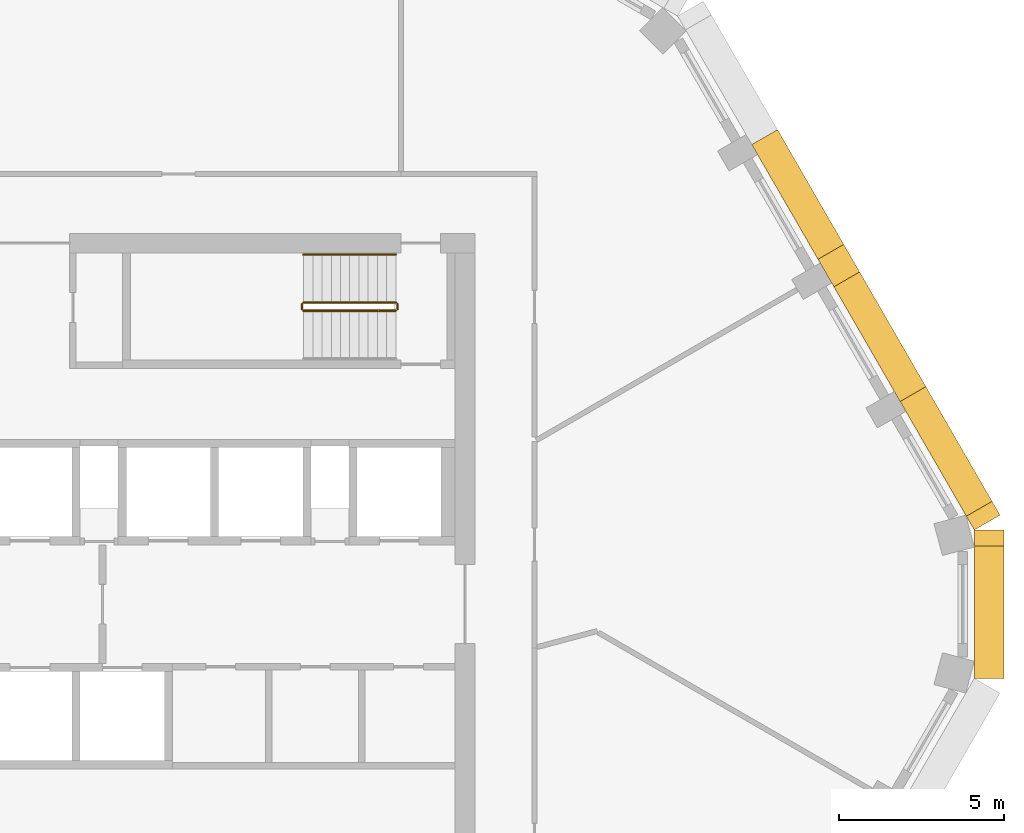
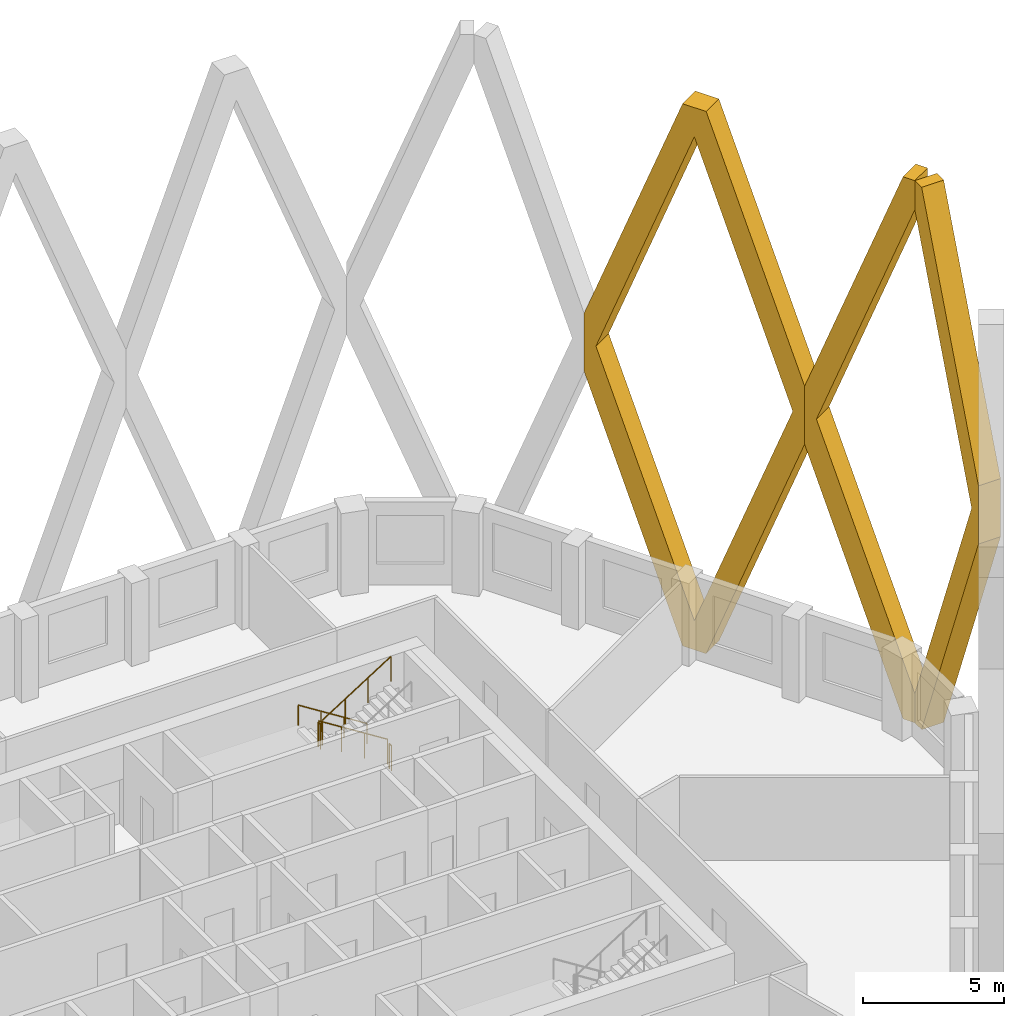
# One storey, part 12 of 13: 5 railings, 3 coverings.
"""IFC4 building model written with IfcOpenShell, lengths in metres."""

from ifc_helpers import new_model, si_unit, direction, frame, origin, origin_2d, place, context, subcontext, project, spatial, polyline, circle, outline, extrude, material, type_object, element, save


model = new_model("IFC4")

# Units and contexts
model_context = context("Model", 3, precision=1e-05, world=origin(), true_north=direction((0.0, 1.0)))
body_context = subcontext(model_context, "Body", "Model", "MODEL_VIEW")
ifc_project = project(units=[si_unit("LENGTHUNIT", "METRE"), si_unit("AREAUNIT", "SQUARE_METRE"), si_unit("VOLUMEUNIT", "CUBIC_METRE"), si_unit("PLANEANGLEUNIT", "RADIAN"), si_unit("MASSUNIT", "GRAM", prefix="KILO")], contexts=[model_context])

# Site, building, storey
site_placement = place(None, origin())
site = spatial("IfcSite", under=ifc_project, at=site_placement, CompositionType="ELEMENT")
building_placement = place(site_placement, origin())
building = spatial("IfcBuilding", under=site, at=building_placement, Name="Dhurran Vertical Campus", CompositionType="ELEMENT")
storey_placement = place(building_placement, frame((0.0, 0.0, 258.60009765625)))
storey = spatial("IfcBuildingStorey", under=building, at=storey_placement, Name="L64", CompositionType="ELEMENT", Elevation=258.60009765625)

# Coverings
ifc_material_1 = material(Name="Precast concrete C50/60", Category="concrete")
covering_type = type_object("IfcCoveringType", Name="Folded precast fin lattice diamond", PredefinedType="USERDEFINED", material=ifc_material_1)
covering_1_placement = place(storey_placement, frame((28.647216796875, -2.25, 0.0), z_axis=(1.0, 0.0, 0.0), x_axis=(0.0, 1.0, 0.0)))
element("IfcCovering", 1, at=covering_1_placement, inside=storey, type_object=covering_type, Name="FN1 L64.008", ObjectType="FIN", PredefinedType="USERDEFINED", context=body_context, shape_type="SweptSolid", body=[
    extrude(outline(polyline([(4.017822265625, 0.0), (0.0, 10.4462890625), (0.0, 12.95361328125), (4.017822265625, 23.39990234375), (4.5, 23.39990234375), (4.5, 22.146484375), (0.482177734375, 11.699951171875), (4.5, 1.253662109375), (4.5, 0.0), (4.017822265625, 0.0)])), origin(), (0.0, 0.0, 1.0), 0.89990234375),
])
covering_2_placement = place(storey_placement, frame((28.647216796875, 2.25, 0.0), z_axis=(0.866013897511, 0.50001992892, 0.0), x_axis=(-0.50001992892, 0.866013897511, 0.0)))
element("IfcCovering", 2, at=covering_2_placement, inside=storey, type_object=covering_type, Name="FN1 L64.009", ObjectType="FIN", PredefinedType="USERDEFINED", context=body_context, shape_type="SweptSolid", body=[
    extrude(outline(polyline([(4.5, 10.4462890625), (0.482177734375, 0.0), (0.0, 0.0), (0.0, 1.253662109375), (4.017822265625, 11.699951171875), (0.0, 22.146484375), (0.0, 23.39990234375), (0.482177734375, 23.39990234375), (4.5, 12.95361328125), (4.5, 10.4462890625)])), origin(), (0.0, 0.0, 1.0), 0.89990234375),
])
covering_3_placement = place(storey_placement, frame((26.397216796875, 6.147216796875, 0.0), z_axis=(0.866013897511, 0.50001992892, 0.0), x_axis=(-0.50001992892, 0.866013897511, 0.0)))
element("IfcCovering", 3, at=covering_3_placement, inside=storey, type_object=covering_type, Name="FN1 L64.010", ObjectType="FIN", PredefinedType="USERDEFINED", context=body_context, shape_type="SweptSolid", body=[
    extrude(outline(polyline([(9.0, 12.95361328125), (9.0, 10.4462890625), (4.982177734375, 0.0), (4.017822265625, 0.0), (0.0, 10.4462890625), (0.0, 12.95361328125), (4.017822265625, 23.39990234375), (4.982177734375, 23.39990234375), (9.0, 12.95361328125)]), holes=[polyline([(8.517822265625, 11.699951171875), (4.5, 22.146484375), (0.482177734375, 11.699951171875), (4.5, 1.253662109375), (8.517822265625, 11.699951171875)])]), origin(), (0.0, 0.0, 1.0), 0.89990234375),
])

# Railings
ifc_material_2 = material(Name="Stainless steel balustrade", Category="steel")
railing_type_1 = type_object("IfcRailingType", Name="co-RL-GUARD-1100", PredefinedType="GUARDRAIL", material=ifc_material_2)
railing_1_placement = place(storey_placement, frame((11.10009765625, 9.14990234375, 0.17724609375)))
element("IfcRailing", 4, at=railing_1_placement, inside=storey, type_object=railing_type_1, Name="L64 ST2 stair guard 1", PredefinedType="GUARDRAIL", context=body_context, shape_type="SweptSolid", body=[
    extrude(circle(Radius=0.02392578125, at=origin_2d()), frame((0.0, 0.0, 1.076171875), z_axis=(-0.844908973607, 0.0, 0.534910110503), x_axis=(0.0, -1.0, 0.0)), (0.0, 0.0, 1.0), 3.31396484375),
    extrude(circle(Radius=0.02099609375, at=origin_2d()), origin(), (0.0, 0.0, 1.0), 1.052001953125),
    extrude(circle(Radius=0.02099609375, at=origin_2d()), frame((-0.933349609375, 0.0, 0.5908203125)), (0.0, 0.0, 1.0), 1.052001953125),
    extrude(circle(Radius=0.02099609375, at=origin_2d()), frame((-1.86669921875, 0.0, 1.181884765625)), (0.0, 0.0, 1.0), 1.052001953125),
    extrude(circle(Radius=0.02099609375, at=origin_2d()), frame((-2.800048828125, 0.0, 1.772705078125)), (0.0, 0.0, 1.0), 1.052001953125),
])
railing_2_placement = place(storey_placement, frame((8.25, 9.10009765625, 1.949951171875)))
element("IfcRailing", 5, at=railing_2_placement, inside=storey, type_object=railing_type_1, Name="L64 ST2 stair guard 2", PredefinedType="GUARDRAIL", context=body_context, shape_type="SweptSolid", body=[
    extrude(circle(Radius=0.02392578125, at=origin_2d()), frame((0.0, 0.0, 1.076171875), z_axis=(0.0, -1.0, 0.0), x_axis=(1.0, 0.0, 0.0)), (0.0, 0.0, 1.0), 0.150146484375),
    extrude(circle(Radius=0.02099609375, at=origin_2d()), origin(), (0.0, 0.0, 1.0), 1.052001953125),
    extrude(circle(Radius=0.02099609375, at=origin_2d()), frame((0.0, -0.150146484375, 0.0)), (0.0, 0.0, 1.0), 1.052001953125),
])
railing_3_placement = place(storey_placement, frame((8.300048828125, 8.89990234375, 2.127197265625)))
element("IfcRailing", 6, at=railing_3_placement, inside=storey, type_object=railing_type_1, Name="L64 ST2 stair guard 3", PredefinedType="GUARDRAIL", context=body_context, shape_type="SweptSolid", body=[
    extrude(circle(Radius=0.02392578125, at=origin_2d()), frame((0.0, 0.0, 1.076171875), z_axis=(0.844908973607, 0.0, 0.534910110503), x_axis=(0.0, 1.0, 0.0)), (0.0, 0.0, 1.0), 3.31396484375),
    extrude(circle(Radius=0.02099609375, at=origin_2d()), origin(), (0.0, 0.0, 1.0), 1.052001953125),
    extrude(circle(Radius=0.02099609375, at=origin_2d()), frame((0.933349609375, 0.0, 0.5908203125)), (0.0, 0.0, 1.0), 1.052001953125),
    extrude(circle(Radius=0.02099609375, at=origin_2d()), frame((1.86669921875, 0.0, 1.181884765625)), (0.0, 0.0, 1.0), 1.052001953125),
    extrude(circle(Radius=0.02099609375, at=origin_2d()), frame((2.800048828125, 0.0, 1.772705078125)), (0.0, 0.0, 1.0), 1.052001953125),
])
railing_4_placement = place(storey_placement, frame((11.14990234375, 9.10009765625, 0.0)))
element("IfcRailing", 7, at=railing_4_placement, inside=storey, type_object=railing_type_1, Name="L64 ST2 stair guard 4", PredefinedType="GUARDRAIL", context=body_context, shape_type="SweptSolid", body=[
    extrude(circle(Radius=0.02392578125, at=origin_2d()), frame((0.0, 0.0, 1.076171875), z_axis=(0.0, -1.0, 0.0), x_axis=(1.0, 0.0, 0.0)), (0.0, 0.0, 1.0), 0.150146484375),
    extrude(circle(Radius=0.02099609375, at=origin_2d()), origin(), (0.0, 0.0, 1.0), 1.052001953125),
    extrude(circle(Radius=0.02099609375, at=origin_2d()), frame((0.0, -0.150146484375, 0.0)), (0.0, 0.0, 1.0), 1.052001953125),
])
ifc_material_3 = material(Name="Stainless steel handrail", Category="steel")
railing_type_2 = type_object("IfcRailingType", Name="co-RL-HANDRAIL-900", PredefinedType="HANDRAIL", material=ifc_material_3)
railing_5_placement = place(storey_placement, frame((11.10009765625, 10.60009765625, 0.17724609375)))
element("IfcRailing", 8, at=railing_5_placement, inside=storey, type_object=railing_type_2, Name="L64 ST2 stair handrail 1", PredefinedType="HANDRAIL", context=body_context, shape_type="SweptSolid", body=[
    extrude(circle(Radius=0.02392578125, at=origin_2d()), frame((0.0, 0.0, 0.8759765625), z_axis=(-0.844908973607, 0.0, 0.534910110503), x_axis=(0.0, -1.0, 0.0)), (0.0, 0.0, 1.0), 3.31396484375),
    extrude(circle(Radius=0.02099609375, at=origin_2d()), origin(), (0.0, 0.0, 1.0), 0.851806640625),
    extrude(circle(Radius=0.02099609375, at=origin_2d()), frame((-0.933349609375, 0.0, 0.5908203125)), (0.0, 0.0, 1.0), 0.851806640625),
    extrude(circle(Radius=0.02099609375, at=origin_2d()), frame((-1.86669921875, 0.0, 1.181884765625)), (0.0, 0.0, 1.0), 0.851806640625),
    extrude(circle(Radius=0.02099609375, at=origin_2d()), frame((-2.800048828125, 0.0, 1.772705078125)), (0.0, 0.0, 1.0), 0.851806640625),
])

save(model, "model.ifc")
